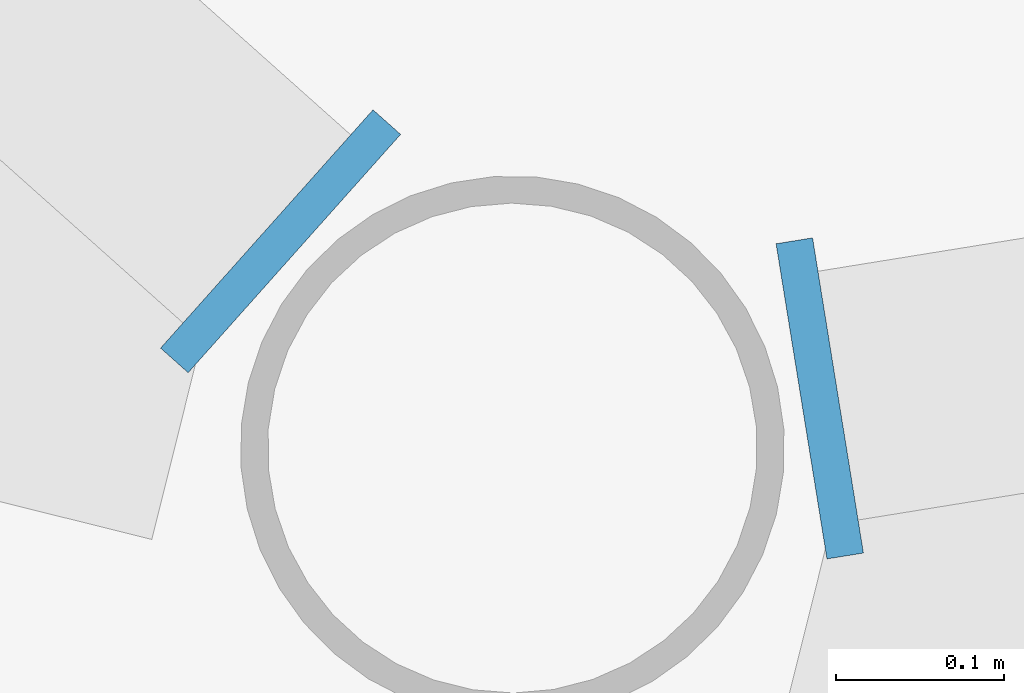
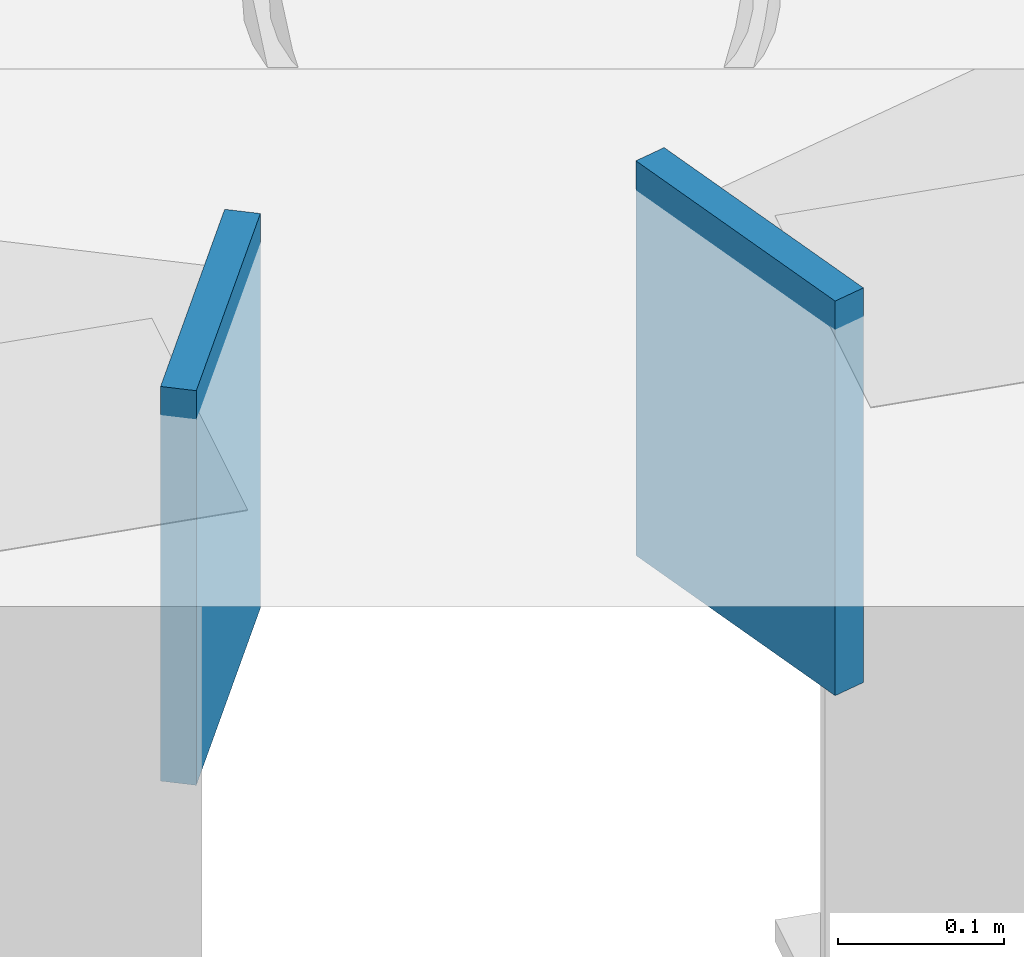
# One storey, part 32 of 68: 2 plates.
"""IFC4 building model written with IfcOpenShell, lengths in metres."""

from ifc_helpers import new_model, si_unit, direction, frame, origin, origin_2d, place, context, subcontext, project, spatial, rectangle, extrude, material, layer, layer_set, type_object, element, save


model = new_model("IFC4")

# Units and contexts
model_context = context("Model", 3, precision=1e-05, world=origin(), true_north=direction((0.0, 1.0)))
body_context = subcontext(model_context, "Body", "Model", "MODEL_VIEW")
ifc_project = project(units=[si_unit("LENGTHUNIT", "METRE"), si_unit("AREAUNIT", "SQUARE_METRE"), si_unit("VOLUMEUNIT", "CUBIC_METRE"), si_unit("PLANEANGLEUNIT", "RADIAN"), si_unit("MASSUNIT", "GRAM", prefix="KILO")], contexts=[model_context])

# Site, building, storey
site_placement = place(None, origin())
site = spatial("IfcSite", under=ifc_project, at=site_placement, CompositionType="ELEMENT")
building_placement = place(site_placement, origin())
building = spatial("IfcBuilding", under=site, at=building_placement, Name="Wrenclough Park School", CompositionType="ELEMENT")
storey_placement = place(building_placement, frame((0.0, 0.0, 12.60009765625)))
storey = spatial("IfcBuildingStorey", under=building, at=storey_placement, Name="L03", CompositionType="ELEMENT", Elevation=12.60009765625)

# Plates
ifc_material = material(Name="Structural steel S355", Category="steel")
ifc_layer = layer(ifc_material, 0.2900390625)
ifc_layer_set = layer_set([ifc_layer], Name="Structural steel S355")
plate_type = type_object("IfcPlateType", Name="STR-PL-EP250", PredefinedType="SHEET", material=ifc_layer_set)
for number, where, z_axis, x_axis, name in (
    (1, (154.041748046875, 32.4970703125, -0.53515625), (0.0, 0.0, 1.0), (0.746405927603, -0.665490940013, 0.0), "D1-SH L03 ring beam 7 end sealing end-cap plate"),
    (2, (154.362548828125, 32.403564453125, -0.53515625), (0.0, 0.0, 1.0), (0.987219843349, 0.15936430246, 0.0), "D1-SH L03 ring beam 8 start sealing end-cap plate"),
):
    element("IfcPlate", number, at=place(storey_placement, frame(where, z_axis=z_axis, x_axis=x_axis)), inside=storey, type_object=plate_type, Name=name, PredefinedType="SHEET", context=body_context, shape_type="SweptSolid", body=[
        extrude(rectangle(XDim=0.02197265625, YDim=0.18994140625, at=origin_2d()), origin(), (0.0, 0.0, 1.0), 0.2900390625),
    ])

save(model, "model.ifc")
